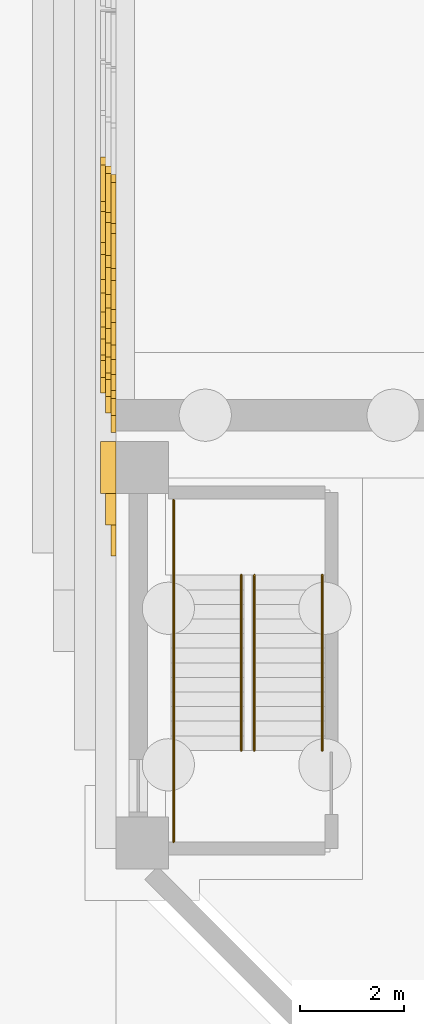
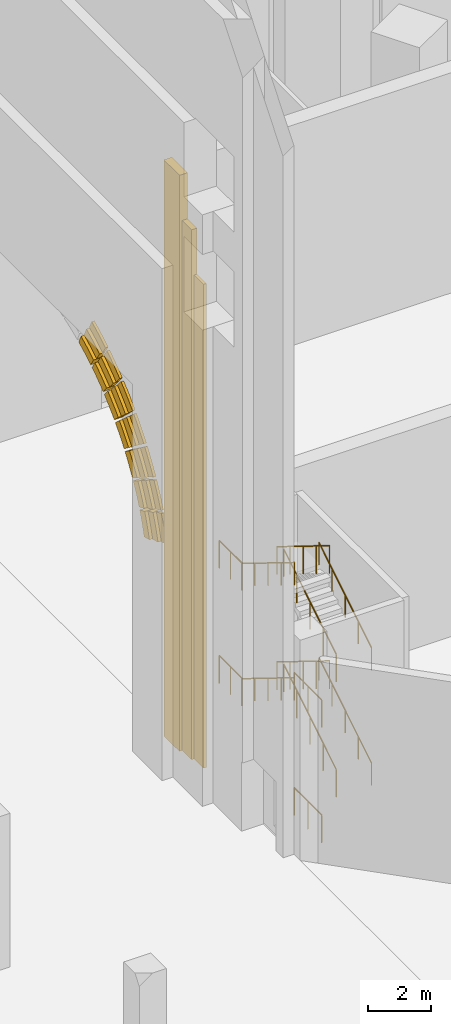
# One storey, part 20 of 32: 24 coverings, 12 railings.
"""IFC4 building model written with IfcOpenShell, lengths in metres."""

import ifcopenshell
import ifcopenshell.guid

model = None  # the IFC model being written
_history = None  # IfcOwnerHistory: only IFC2X3 demands one
_inside = {}  # id of a spatial element -> (the spatial element, [elements in it])
_under = {}  # id of a project, library or spatial element -> (it, [spatial elements below it])
_declared = {}  # id of a project -> (the project, [libraries it declares])
_typed = {}  # id of a type object -> (the type object, [elements of that type])
_made_of = {}  # id of a material, layer set ... -> (it, [elements and type objects made of it])


def new_model(schema):
    """Start an empty IFC model of exactly this schema.

    Asked for "IFC4X3", IfcOpenShell would pick the latest addendum, in which some entities
    have other attributes; the version numbers below select the first issue.
    IFC2X3 requires an IfcOwnerHistory on every rooted entity: one is made here for all.
    """
    global model, _history
    if schema == "IFC4X3":
        model = ifcopenshell.file(schema_version=(4, 3, 0, 0))
    else:
        model = ifcopenshell.file(schema=schema)
    _inside.clear()
    _under.clear()
    _declared.clear()
    _typed.clear()
    _made_of.clear()
    _history = None
    if model.schema == "IFC2X3":
        org = make("IfcOrganization", Name="unknown")
        user = make(
            "IfcPersonAndOrganization",
            ThePerson=make("IfcPerson", FamilyName="unknown"),
            TheOrganization=org,
        )
        app = make(
            "IfcApplication",
            ApplicationDeveloper=org,
            Version="unknown",
            ApplicationFullName="unknown",
            ApplicationIdentifier="unknown",
        )
        _history = make(
            "IfcOwnerHistory",
            OwningUser=user,
            OwningApplication=app,
            ChangeAction="ADDED",
            CreationDate=0,
        )
    return model


def make(cls, **values):
    """One entity of the class cls with the attributes given. An attribute that is None is left unset."""
    return model.create_entity(
        cls, **{name: value for name, value in values.items() if value is not None}
    )


def rooted(cls, **values):
    """An entity with a GlobalId (a new one), such as an element, a storey or a relation."""
    return make(cls, GlobalId=ifcopenshell.guid.new(), OwnerHistory=_history, **values)


def si_unit(unit_type, name, prefix=None):
    """IfcSIUnit, for example si_unit("LENGTHUNIT", "METRE", prefix="MILLI")."""
    return make("IfcSIUnit", UnitType=unit_type, Prefix=prefix, Name=name)


def assignment(units):
    """IfcUnitAssignment: the units of a project."""
    return None if units is None else make("IfcUnitAssignment", Units=units)


def point(xyz):
    """IfcCartesianPoint."""
    return None if xyz is None else make("IfcCartesianPoint", Coordinates=xyz)


def direction(xyz):
    """IfcDirection."""
    return None if xyz is None else make("IfcDirection", DirectionRatios=xyz)


def frame(location, z_axis=None, x_axis=None):
    """IfcAxis2Placement3D, a coordinate frame: its origin and axes. An axis left out is left unset."""
    return make(
        "IfcAxis2Placement3D",
        Location=point(location),
        Axis=direction(z_axis),
        RefDirection=direction(x_axis),
    )


def frame_2d(location, x_axis=None):
    """IfcAxis2Placement2D, a coordinate frame in the plane: its origin and x axis."""
    return make(
        "IfcAxis2Placement2D", Location=point(location), RefDirection=direction(x_axis)
    )


def origin():
    """The frame at (0, 0, 0) with its axes left unset."""
    return frame((0.0, 0.0, 0.0))


def origin_2d():
    """The frame at (0, 0) in the plane with its x axis left unset."""
    return frame_2d((0.0, 0.0))


def place(relative_to, where):
    """IfcLocalPlacement: puts the frame where relative to a parent placement (None: the world)."""
    return make(
        "IfcLocalPlacement", PlacementRelTo=relative_to, RelativePlacement=where
    )


def context(
    kind, dimensions, precision=None, world=None, true_north=None, identifier=None
):
    """IfcGeometricRepresentationContext, for example the 3D "Model" context."""
    return make(
        "IfcGeometricRepresentationContext",
        ContextIdentifier=identifier,
        ContextType=kind,
        CoordinateSpaceDimension=dimensions,
        Precision=precision,
        WorldCoordinateSystem=world,
        TrueNorth=true_north,
    )


def subcontext(parent, identifier, kind, view, scale=None):
    """IfcGeometricRepresentationSubContext, for example "Body" below "Model"."""
    return make(
        "IfcGeometricRepresentationSubContext",
        ContextIdentifier=identifier,
        ContextType=kind,
        ParentContext=parent,
        TargetScale=scale,
        TargetView=view,
    )


def project(units=None, contexts=None):
    """IfcProject with its units and contexts."""
    return rooted(
        "IfcProject",
        Name="project",
        RepresentationContexts=contexts,
        UnitsInContext=assignment(units),
    )


def spatial(cls, under=None, at=None, **own):
    """A site, building, storey or space (cls), placed at a placement, below another one or the project."""
    s = rooted(cls, ObjectPlacement=at, **own)
    if under is not None:
        _under.setdefault(under.id(), (under, []))[1].append(s)
    return s


def polyline(points):
    """IfcPolyline through the points."""
    return make("IfcPolyline", Points=[point(p) for p in points])


def profile(cls, at=None, kind="AREA", **sizes):
    """A parametric profile (cls). Its sizes go by their IFC names, for example OverallWidth=200.0."""
    return make(cls, ProfileType=kind, Position=at, **sizes)


def rectangle(**sizes):
    """IfcRectangleProfileDef."""
    return profile("IfcRectangleProfileDef", **sizes)


def circle(**sizes):
    """IfcCircleProfileDef."""
    return profile("IfcCircleProfileDef", **sizes)


def outline(outer, holes=None, kind="AREA"):
    """IfcArbitraryClosedProfileDef: a profile drawn as a closed curve; with holes, ...WithVoids."""
    if holes is None:
        return make("IfcArbitraryClosedProfileDef", ProfileType=kind, OuterCurve=outer)
    return make(
        "IfcArbitraryProfileDefWithVoids",
        ProfileType=kind,
        OuterCurve=outer,
        InnerCurves=holes,
    )


def extrude(swept, where, along, depth):
    """IfcExtrudedAreaSolid: the profile swept, set in the frame where, extruded along a direction by depth."""
    return make(
        "IfcExtrudedAreaSolid",
        SweptArea=swept,
        Position=where,
        ExtrudedDirection=direction(along),
        Depth=depth,
    )


def shape(context_of_items, identifier, shape_type, items):
    """IfcShapeRepresentation: the items that make up one representation, for example the "Body"."""
    return make(
        "IfcShapeRepresentation",
        ContextOfItems=context_of_items,
        RepresentationIdentifier=identifier,
        RepresentationType=shape_type,
        Items=items,
    )


def material(Name=None, Category=None):
    """IfcMaterial."""
    return make("IfcMaterial", Name=Name, Category=Category)


def made_of(thing, what):
    """Note that an element or type object is made of a material, layer set ...; save() writes the relation."""
    if what is not None:
        _made_of.setdefault(what.id(), (what, []))[1].append(thing)
    return thing


def type_object(cls, material=None, **own):
    """A type object (cls), such as IfcWallType, which elements share."""
    return made_of(rooted(cls, **own), material)


def element(
    cls,
    number,
    at=None,
    inside=None,
    cuts=None,
    type_object=None,
    material=None,
    context=None,
    identifier="Body",
    shape_type=None,
    held_by="IfcProductDefinitionShape",
    body=None,
    shapes=None,
    **own,
):
    """One element of the class cls, such as IfcWall. Its Tag is "e" and its number.

    at: its placement. inside: the storey or other place that contains it. cuts: it is an
    opening in that element (IfcRelVoidsElement). A single representation is given by context,
    identifier, shape_type and body (its items); several are given by shapes. held_by: the class
    of the entity that holds the representations. save() writes the other relations.
    """
    e = rooted(cls, Tag="e%d" % number, ObjectPlacement=at, **own)
    if body is not None:
        shapes = [shape(context, identifier, shape_type, body)]
    if shapes is not None:
        e.Representation = make(held_by, Representations=shapes)
    if inside is not None:
        _inside.setdefault(inside.id(), (inside, []))[1].append(e)
    if cuts is not None:
        rooted(
            "IfcRelVoidsElement", RelatingBuildingElement=cuts, RelatedOpeningElement=e
        )
    if type_object is not None:
        _typed.setdefault(type_object.id(), (type_object, []))[1].append(e)
    return made_of(e, material)


def aggregate(whole, parts):
    """IfcRelAggregates: a whole, such as a stair, and the parts it consists of."""
    return rooted("IfcRelAggregates", RelatingObject=whole, RelatedObjects=parts)


def save(model, path):
    """Write the relations noted so far, then the file.

    IfcRelAggregates (storeys below a building ...), IfcRelContainedInSpatialStructure (elements
    in a storey), IfcRelDefinesByType, IfcRelAssociatesMaterial and IfcRelDeclares: one each for
    every whole, place, type object, material and project.
    """
    for whole, parts in _under.values():
        aggregate(whole, parts)
    for where, things in _inside.values():
        rooted(
            "IfcRelContainedInSpatialStructure",
            RelatedElements=things,
            RelatingStructure=where,
        )
    for kind, things in _typed.values():
        rooted("IfcRelDefinesByType", RelatedObjects=things, RelatingType=kind)
    for what, things in _made_of.values():
        rooted("IfcRelAssociatesMaterial", RelatedObjects=things, RelatingMaterial=what)
    for by, libraries in _declared.values():
        rooted("IfcRelDeclares", RelatingContext=by, RelatedDefinitions=libraries)
    model.write(path)


model = new_model("IFC4")

# Units and contexts
model_context = context("Model", 3, precision=1e-05, world=origin(), true_north=direction((0.0, 1.0)))
body_context = subcontext(model_context, "Body", "Model", "MODEL_VIEW")
ifc_project = project(units=[si_unit("LENGTHUNIT", "METRE"), si_unit("AREAUNIT", "SQUARE_METRE"), si_unit("VOLUMEUNIT", "CUBIC_METRE"), si_unit("PLANEANGLEUNIT", "RADIAN"), si_unit("MASSUNIT", "GRAM", prefix="KILO")], contexts=[model_context])

# Site, building, storey
site_placement = place(None, origin())
site = spatial("IfcSite", under=ifc_project, at=site_placement, CompositionType="ELEMENT")
building_placement = place(site_placement, origin())
building = spatial("IfcBuilding", under=site, at=building_placement, Name="Isthmus Gate Tower", CompositionType="ELEMENT")
storey_placement = place(building_placement, origin())
storey = spatial("IfcBuildingStorey", under=building, at=storey_placement, Name="L00", CompositionType="ELEMENT", Elevation=0.0)

# Coverings
ifc_material_1 = material(Name="Precast concrete C50/60, limestone-faced", Category="masonry")
covering_type_1 = type_object("IfcCoveringType", Name="ARCHIVOLT BAND 350 X 100", PredefinedType="CLADDING", material=ifc_material_1)
covering_1_placement = place(storey_placement, frame((-52.10009765625, -26.63232421875, 7.294189453125), z_axis=(-1.0, 0.0, 0.0), x_axis=(0.0, 0.265284049219, 0.964170303022)))
element("IfcCovering", 1, at=covering_1_placement, inside=storey, type_object=covering_type_1, Name="ARCHIVOLT BAND", PredefinedType="CLADDING", context=body_context, shape_type="SweptSolid", body=[
    extrude(outline(polyline([(0.0, 0.0), (0.26688668790501374, -1.3877787807814457e-17), (0.533556742654264, 0.008415639768535904), (0.8000512575474008, 0.024475973270870033), (1.065728819776844, 0.04861069348812508), (1.028781476728505, 0.3965628482787386), (0.7734911393181957, 0.37336836062412726), (0.5175544757710004, 0.35794809993047155), (0.26144227236769174, 0.3501725329706142), (0.005089762494690689, 0.3498062666041687), (0.0, 0.0)])), origin(), (0.0, 0.0, -1.0), 0.10009765625),
])
covering_2_placement = place(storey_placement, frame((-52.10009765625, -26.26513671875, 8.403564453125), z_axis=(-1.0, 0.0, 0.0), x_axis=(0.0, 0.389044503845, 0.921218960958)))
element("IfcCovering", 2, at=covering_2_placement, inside=storey, type_object=covering_type_1, Name="ARCHIVOLT BAND", PredefinedType="CLADDING", context=body_context, shape_type="SweptSolid", body=[
    extrude(outline(polyline([(0.0, 0.0), (0.25415332217179354, 1.3877787807814457e-17), (0.5079473560407013, 0.007307248656211879), (0.7616070085796132, 0.021826764400314003), (1.0148123912473177, 0.043428621827737934), (0.9801080023617159, 0.3917438565649191), (0.7368039205161634, 0.37099589516282633), (0.4931754942039718, 0.35701038690284365), (0.24909279802057266, 0.35010722032618286), (0.00500564591174614, 0.3500964322962007), (0.0, 0.0)])), origin(), (0.0, 0.0, -1.0), 0.10009765625),
])
covering_3_placement = place(storey_placement, frame((-52.10009765625, -25.78076171875, 9.410888671875), z_axis=(-1.0, 0.0, 0.0), x_axis=(0.0, 0.500998364306, 0.865448230088)))
element("IfcCovering", 3, at=covering_3_placement, inside=storey, type_object=covering_type_1, Name="ARCHIVOLT BAND", PredefinedType="CLADDING", context=body_context, shape_type="SweptSolid", body=[
    extrude(outline(polyline([(0.0, 0.0), (0.25388758664129923, 0.0), (0.5077859726040459, 0.00732827867355515), (0.7615728438344544, 0.02177354494886663), (1.014825618188927, 0.043580426933506), (0.9798036535025603, 0.39193343456175944), (0.7365479988263193, 0.37082756939977696), (0.49296953834594126, 0.3569610058933367), (0.2488236439538546, 0.34991116189884075), (0.004777525901228485, 0.3498559914523155), (0.0, 0.0)])), origin(), (0.0, 0.0, -1.0), 0.10009765625),
])
covering_4_placement = place(storey_placement, frame((-52.10009765625, -25.174560546875, 10.349609375), z_axis=(-1.0, 0.0, 0.0), x_axis=(0.0, 0.605521832483, 0.795828694121)))
element("IfcCovering", 4, at=covering_4_placement, inside=storey, type_object=covering_type_1, Name="ARCHIVOLT BAND", PredefinedType="CLADDING", context=body_context, shape_type="SweptSolid", body=[
    extrude(outline(polyline([(0.0, 0.0), (0.25400998857337076, -1.3877787807814457e-17), (0.5080706625679874, 0.007324043370019351), (0.7616920629118069, 0.02173137435914052), (1.0148741896048294, 0.0432219929673634), (0.9799308154409481, 0.3916166834706377), (0.7367632832290767, 0.3707891991237142), (0.4930086448877745, 0.3568507082811168), (0.24915685948908461, 0.3500419666937632), (0.004912262075739665, 0.3499743861321021), (0.0, 0.0)])), origin(), (0.0, 0.0, -1.0), 0.10009765625),
])
covering_5_placement = place(storey_placement, frame((-52.10009765625, -24.45556640625, 11.205322265625), z_axis=(-1.0, 0.0, 0.0), x_axis=(0.0, 0.700349905889, 0.71379969832)))
element("IfcCovering", 5, at=covering_5_placement, inside=storey, type_object=covering_type_1, Name="ARCHIVOLT BAND", PredefinedType="CLADDING", context=body_context, shape_type="SweptSolid", body=[
    extrude(outline(polyline([(0.0, 0.0), (0.25412799249135853, 0.0), (0.5078417771591657, 0.007246995091784836), (0.7616608728761091, 0.021573285052342572), (1.0148914932650284, 0.043317553968427513), (0.9799861577561113, 0.3915483570546558), (0.7369322436277091, 0.3707640839606525), (0.49312215394827064, 0.35687827094948865), (0.24907212394975345, 0.35006846916636736), (0.00495642113663014, 0.35016369474754616), (0.0, 0.0)])), origin(), (0.0, 0.0, -1.0), 0.10009765625),
])
covering_6_placement = place(storey_placement, frame((-52.10009765625, -23.63525390625, 11.96435546875), z_axis=(-1.0, 0.0, 0.0), x_axis=(0.0, 0.784513482816, 0.620111760314)))
element("IfcCovering", 6, at=covering_6_placement, inside=storey, type_object=covering_type_1, Name="ARCHIVOLT BAND", PredefinedType="CLADDING", context=body_context, shape_type="SweptSolid", body=[
    extrude(outline(polyline([(0.0, 0.0), (0.25393923031750015, 0.0), (0.5079953512511569, 0.006938795973536777), (0.7615226477707558, 0.02123958828392425), (1.0146725143490298, 0.04271084531914682), (0.9801848534604658, 0.39106882291730727), (0.7370291345635808, 0.3703397508786452), (0.4933044541133552, 0.35662974909208534), (0.24935373819453777, 0.3498986804183449), (0.005176986807128331, 0.3501465448574239), (0.0, 0.0)])), origin(), (0.0, 0.0, -1.0), 0.10009765625),
])
covering_7_placement = place(storey_placement, frame((-52.10009765625, -22.7265625, 12.61474609375), z_axis=(-1.0, 0.0, 0.0), x_axis=(0.0, 0.855623194581, 0.517599216475)))
element("IfcCovering", 7, at=covering_7_placement, inside=storey, type_object=covering_type_1, Name="ARCHIVOLT BAND", PredefinedType="CLADDING", context=body_context, shape_type="SweptSolid", body=[
    extrude(outline(polyline([(0.0, 0.0), (0.25423492286411625, -1.3877787807814457e-17), (0.5081087971676335, 0.007200339865661182), (0.761830515292041, 0.021727386593193232), (1.0149822924743603, 0.043328406190176805), (0.9801411063765512, 0.39147721750268794), (0.7369929532411159, 0.37079171389865195), (0.49319233377831245, 0.3568449237863684), (0.24915703275111956, 0.3498895811582565), (0.005095942541026716, 0.3500520530105261), (0.0, 0.0)])), origin(), (0.0, 0.0, -1.0), 0.10009765625),
])
ifc_material_2 = material(Name="Precast concrete C50/60, limestone-faced", Category="masonry")
covering_type_2 = type_object("IfcCoveringType", Name="ARCHIVOLT BAND 350 X 200", PredefinedType="CLADDING", material=ifc_material_2)
covering_8_placement = place(storey_placement, frame((-52.199951171875, -26.2548828125, 7.1962890625), z_axis=(-1.0, 0.0, 0.0), x_axis=(0.0, 0.265713821444, 0.964051951449)))
element("IfcCovering", 8, at=covering_8_placement, inside=storey, type_object=covering_type_2, Name="ARCHIVOLT BAND", PredefinedType="CLADDING", context=body_context, shape_type="SweptSolid", body=[
    extrude(outline(polyline([(0.0, 0.0), (0.2545104833366101, 0.0), (0.5088488346127424, 0.007644771224727009), (0.7630150538283971, 0.022934313674181), (1.0167089051991762, 0.04569813464084116), (0.9799815441319394, 0.3939020891383528), (0.7369106999220713, 0.3720089987851023), (0.493302616328889, 0.3573548227030987), (0.24915729335239267, 0.349939560892342), (0.005010331022939352, 0.3498688345219144), (0.0, 0.0)])), origin(), (0.0, 0.0, -1.0), 0.199951171875),
])
covering_9_placement = place(storey_placement, frame((-52.199951171875, -25.90283203125, 8.259033203125), z_axis=(-1.0, 0.0, 0.0), x_axis=(0.0, 0.389771751244, 0.920911495168)))
element("IfcCovering", 9, at=covering_9_placement, inside=storey, type_object=covering_type_2, Name="ARCHIVOLT BAND", PredefinedType="CLADDING", context=body_context, shape_type="SweptSolid", body=[
    extrude(outline(polyline([(0.0, 0.0), (0.24177812001299168, 0.0), (0.4836868989198868, 0.006572388889559272), (0.7251470001156418, 0.020227475933546013), (0.9659681053623442, 0.040515597315960494), (0.9315387472401362, 0.38885812509175965), (0.7002996229146411, 0.3692864088898801), (0.4689663255750495, 0.3563822406965158), (0.23712370507544933, 0.3497911158146233), (0.0052820706807088225, 0.350092370849246), (0.0, 0.0)])), origin(), (0.0, 0.0, -1.0), 0.199951171875),
])
covering_10_placement = place(storey_placement, frame((-52.199951171875, -25.439453125, 9.22216796875), z_axis=(-1.0, 0.0, 0.0), x_axis=(0.0, 0.500916836228, 0.86549542066)))
element("IfcCovering", 10, at=covering_10_placement, inside=storey, type_object=covering_type_2, Name="ARCHIVOLT BAND", PredefinedType="CLADDING", context=body_context, shape_type="SweptSolid", body=[
    extrude(outline(polyline([(0.0, 0.0), (0.24174422028189912, -1.3877787807814457e-17), (0.4833762554065226, 0.007116977065409785), (0.7248628196678656, 0.020806031860890528), (0.9659036020295286, 0.041523055278316234), (0.9310601249836399, 0.38975046811683384), (0.6999273877760905, 0.37006899999733706), (0.4685268855557909, 0.35674830701497684), (0.23664731572980657, 0.34991068331922265), (0.004744569190011483, 0.34985643994647403), (0.0, 0.0)])), origin(), (0.0, 0.0, -1.0), 0.199951171875),
])
covering_11_placement = place(storey_placement, frame((-52.199951171875, -24.859375, 10.119873046875), z_axis=(-1.0, 0.0, 0.0), x_axis=(0.0, 0.605160111875, 0.796103786573)))
element("IfcCovering", 11, at=covering_11_placement, inside=storey, type_object=covering_type_2, Name="ARCHIVOLT BAND", PredefinedType="CLADDING", context=body_context, shape_type="SweptSolid", body=[
    extrude(outline(polyline([(0.0, 0.0), (0.24165544209776263, 0.0), (0.48340485836578306, 0.0069819602033808215), (0.7247117820840856, 0.021047007670000006), (0.9658171916367695, 0.04170529278796242), (0.9309098571335205, 0.38993632340725076), (0.699818739671749, 0.36994572353571337), (0.4683317467683405, 0.3566961054834573), (0.23644887842329462, 0.3501874692504826), (0.004753218464667863, 0.34997658233297496), (0.0, 0.0)])), origin(), (0.0, 0.0, -1.0), 0.199951171875),
])
covering_12_placement = place(storey_placement, frame((-52.199951171875, -24.171630859375, 10.937744140625), z_axis=(-1.0, 0.0, 0.0), x_axis=(0.0, 0.700000714214, 0.714142142784)))
element("IfcCovering", 12, at=covering_12_placement, inside=storey, type_object=covering_type_2, Name="ARCHIVOLT BAND", PredefinedType="CLADDING", context=body_context, shape_type="SweptSolid", body=[
    extrude(outline(polyline([(0.0, 0.0), (0.24169897214318228, 0.0), (0.4834997929540438, 0.0070793455280128426), (0.7250606652088474, 0.02088933436588236), (0.9658619880775682, 0.04159741262826766), (0.9311315923989312, 0.38981455492654193), (0.6999903567223001, 0.36989364602791525), (0.4682639227686643, 0.3566999279419357), (0.2366462424771268, 0.34989505594207554), (0.004788613629531258, 0.349820827252072), (0.0, 0.0)])), origin(), (0.0, 0.0, -1.0), 0.199951171875),
])
covering_13_placement = place(storey_placement, frame((-52.199951171875, -23.38720703125, 11.663330078125), z_axis=(-1.0, 0.0, 0.0), x_axis=(0.0, 0.784107209505, 0.620625397484)))
element("IfcCovering", 13, at=covering_13_placement, inside=storey, type_object=covering_type_2, Name="ARCHIVOLT BAND", PredefinedType="CLADDING", context=body_context, shape_type="SweptSolid", body=[
    extrude(outline(polyline([(0.0, 0.0), (0.2419277151460203, 0.0), (0.4836248244374112, 0.006978783587852561), (0.7250514153224101, 0.020593398466929425), (0.9659044480561514, 0.04122670948562168), (0.9313401782295959, 0.38937059432830995), (0.7003292851120211, 0.3696774456400296), (0.4687049212914261, 0.35666004079473634), (0.23696155893687165, 0.35008703481647185), (0.005099198048357845, 0.3499584277052363), (0.0, 0.0)])), origin(), (0.0, 0.0, -1.0), 0.199951171875),
])
covering_14_placement = place(storey_placement, frame((-52.199951171875, -22.517822265625, 12.28515625), z_axis=(-1.0, 0.0, 0.0), x_axis=(0.0, 0.855347002332, 0.518055504364)))
element("IfcCovering", 14, at=covering_14_placement, inside=storey, type_object=covering_type_2, Name="ARCHIVOLT BAND", PredefinedType="CLADDING", context=body_context, shape_type="SweptSolid", body=[
    extrude(outline(polyline([(0.0, 0.0), (0.24175815056490446, 0.0), (0.483486715540424, 0.007117799712831413), (0.7248945234176967, 0.020891617397512774), (0.9658550958021019, 0.041530278005785404), (0.9310370483879977, 0.3897869350394937), (0.6998707853694371, 0.36994264750620354), (0.4683837652526296, 0.35675437794476333), (0.23670246643219506, 0.35001330140343195), (0.004700410513513331, 0.3499282428339506), (0.0, 0.0)])), origin(), (0.0, 0.0, -1.0), 0.199951171875),
])
ifc_material_3 = material(Name="Precast concrete C50/60, limestone-faced", Category="masonry")
covering_type_3 = type_object("IfcCoveringType", Name="ARCHIVOLT BAND 350 X 300", PredefinedType="CLADDING", material=ifc_material_3)
covering_15_placement = place(storey_placement, frame((-52.300048828125, -25.87744140625, 7.09814453125), z_axis=(-1.0, 0.0, 0.0), x_axis=(0.0, 0.265928998126, 0.963992618206)))
element("IfcCovering", 15, at=covering_15_placement, inside=storey, type_object=covering_type_3, Name="ARCHIVOLT BAND", PredefinedType="CLADDING", context=body_context, shape_type="SweptSolid", body=[
    extrude(outline(polyline([(0.0, 0.0), (0.24236967556846373, 6.938893903907228e-18), (0.48443907730481517, 0.007174109934790646), (0.7265084790411667, 0.021692755492868032), (0.9677419833529892, 0.043280009369047995), (0.9313276945776436, 0.3914272289307934), (0.7004171176833025, 0.3705379088265501), (0.4689709171965449, 0.35688762272890545), (0.23709459473405886, 0.34994074704544303), (0.005088424127956681, 0.34986770746465895), (0.0, 0.0)])), origin(), (0.0, 0.0, -1.0), 0.300048828125),
])
covering_16_placement = place(storey_placement, frame((-52.300048828125, -25.54052734375, 8.114501953125), z_axis=(-1.0, 0.0, 0.0), x_axis=(0.0, 0.389292978333, 0.921113986986)))
element("IfcCovering", 16, at=covering_16_placement, inside=storey, type_object=covering_type_3, Name="ARCHIVOLT BAND", PredefinedType="CLADDING", context=body_context, shape_type="SweptSolid", body=[
    extrude(outline(polyline([(0.0, 0.0), (0.22953270087877473, 0.0), (0.4591926440887211, 0.0065724559223562795), (0.6883399824788046, 0.019457689540187922), (0.9170697582800635, 0.0388805821979738), (0.8824593248449196, 0.38720516538924404), (0.6636310798346305, 0.3686334979591739), (0.44419518777344, 0.35614972688010016), (0.22456661446790388, 0.3501085726099422), (0.00500503814490301, 0.34987018799766556), (0.0, 0.0)])), origin(), (0.0, 0.0, -1.0), 0.300048828125),
])
covering_17_placement = place(storey_placement, frame((-52.300048828125, -25.09814453125, 9.033447265625), z_axis=(-1.0, 0.0, 0.0), x_axis=(0.0, 0.500826679093, 0.865547594017)))
element("IfcCovering", 17, at=covering_17_placement, inside=storey, type_object=covering_type_3, Name="ARCHIVOLT BAND", PredefinedType="CLADDING", context=body_context, shape_type="SweptSolid", body=[
    extrude(outline(polyline([(0.0, 0.0), (0.22960085629459692, -1.3877787807814457e-17), (0.45917782928401885, 0.006783377871999702), (0.6882750593607941, 0.02004977509330863), (0.9169815897170428, 0.039465604194905635), (0.88222411185534, 0.3879007010005236), (0.6631809744538297, 0.3690988286026111), (0.44408072480081395, 0.35653543127710685), (0.22425618795825059, 0.3500324226397707), (0.004708126333202722, 0.3498569322669628), (0.0, 0.0)])), origin(), (0.0, 0.0, -1.0), 0.300048828125),
])
covering_18_placement = place(storey_placement, frame((-52.300048828125, -24.54443359375, 9.889892578125), z_axis=(-1.0, 0.0, 0.0), x_axis=(0.0, 0.606107288673, 0.795382898118)))
element("IfcCovering", 18, at=covering_18_placement, inside=storey, type_object=covering_type_3, Name="ARCHIVOLT BAND", PredefinedType="CLADDING", context=body_context, shape_type="SweptSolid", body=[
    extrude(outline(polyline([(0.0, 0.0), (0.2295965728357777, 0.0), (0.4590456894712548, 0.006251312153592148), (0.6883011400408439, 0.019096097150910818), (0.9170207638544108, 0.03848814512636883), (0.882675930271702, 0.3869546646714366), (0.663777200925344, 0.3683663568300118), (0.444388854688551, 0.35598315127659214), (0.22485305225145727, 0.3498512578767646), (0.00516979361406289, 0.3499706766305292), (0.0, 0.0)])), origin(), (0.0, 0.0, -1.0), 0.300048828125),
])
covering_19_placement = place(storey_placement, frame((-52.300048828125, -23.887939453125, 10.67041015625), z_axis=(-1.0, 0.0, 0.0), x_axis=(0.0, 0.700698350251, 0.713457652532)))
element("IfcCovering", 19, at=covering_19_placement, inside=storey, type_object=covering_type_3, Name="ARCHIVOLT BAND", PredefinedType="CLADDING", context=body_context, shape_type="SweptSolid", body=[
    extrude(outline(polyline([(0.0, 0.0), (0.22961188907810953, 0.0), (0.45899352300641805, 0.0063856216797687215), (0.6883159707180924, 0.019331049036506287), (0.9170629103495987, 0.0386589830089793), (0.8824986790125033, 0.3870809718523899), (0.6637578442335668, 0.36853388059761866), (0.4442704324412957, 0.3561951119613827), (0.22472694949642377, 0.3500708960717488), (0.004956326465784172, 0.3499870489315169), (0.0, 0.0)])), origin(), (0.0, 0.0, -1.0), 0.300048828125),
])
covering_20_placement = place(storey_placement, frame((-52.300048828125, -23.138916015625, 11.362548828125), z_axis=(-1.0, 0.0, 0.0), x_axis=(0.0, 0.784283129619, 0.620403072684)))
element("IfcCovering", 20, at=covering_20_placement, inside=storey, type_object=covering_type_3, Name="ARCHIVOLT BAND", PredefinedType="CLADDING", context=body_context, shape_type="SweptSolid", body=[
    extrude(outline(polyline([(0.0, 0.0), (0.22942179148037986, -1.3877787807814457e-17), (0.4590693524309377, 0.006404422565429252), (0.6881053353230386, 0.01948476262878035), (0.9170241467179587, 0.03900953503708593), (0.8825585794983795, 0.3871632050999399), (0.6634821738666627, 0.36857580466908235), (0.4442485869582397, 0.35608989561582016), (0.22455488758527675, 0.3500884286870377), (0.004855472529524479, 0.3499969777624086), (0.0, 0.0)])), origin(), (0.0, 0.0, -1.0), 0.300048828125),
])
covering_21_placement = place(storey_placement, frame((-52.300048828125, -22.309326171875, 11.95556640625), z_axis=(-1.0, 0.0, 0.0), x_axis=(0.0, 0.855611571802, 0.517618429152)))
element("IfcCovering", 21, at=covering_21_placement, inside=storey, type_object=covering_type_3, Name="ARCHIVOLT BAND", PredefinedType="CLADDING", context=body_context, shape_type="SweptSolid", body=[
    extrude(outline(polyline([(0.0, 0.0), (0.2296990943110293, 0.0), (0.4590808322094051, 0.0066561809819906115), (0.6883979570687371, 0.01955076385817789), (0.9171888359715183, 0.03897515602955093), (0.8825487218305931, 0.3872495565908444), (0.6635525568705904, 0.3686145333542971), (0.44415651764084213, 0.35630042986903865), (0.22461334751495762, 0.34988946704727497), (0.004879192663224424, 0.3499257956636048), (0.0, 0.0)])), origin(), (0.0, 0.0, -1.0), 0.300048828125),
])
ifc_material_4 = material(Name="Precast concrete C50/60, limestone-faced", Category="masonry")
covering_type_4 = type_object("IfcCoveringType", Name="PORTAL RELIEF BAND 1000 X 300", PredefinedType="CLADDING", material=ifc_material_4)
covering_22_placement = place(storey_placement, frame((-52.14990234375, -27.300048828125, 0.0), z_axis=(0.0, 0.0, 1.0), x_axis=(1.0, 0.0, 0.0)))
element("IfcCovering", 22, at=covering_22_placement, inside=storey, type_object=covering_type_4, Name="PORTAL RELIEF", PredefinedType="CLADDING", context=body_context, shape_type="SweptSolid", body=[
    extrude(rectangle(XDim=0.300048828125, YDim=1.0, at=origin_2d()), origin(), (0.0, 0.0, 1.0), 22.5),
])
ifc_material_5 = material(Name="Precast concrete C50/60, limestone-faced", Category="masonry")
covering_type_5 = type_object("IfcCoveringType", Name="PORTAL RELIEF BAND 600 X 100", PredefinedType="CLADDING", material=ifc_material_5)
covering_23_placement = place(storey_placement, frame((-52.050048828125, -28.699951171875, 0.0), z_axis=(0.0, 0.0, 1.0), x_axis=(1.0, 0.0, 0.0)))
element("IfcCovering", 23, at=covering_23_placement, inside=storey, type_object=covering_type_5, Name="PORTAL RELIEF", PredefinedType="CLADDING", context=body_context, shape_type="SweptSolid", body=[
    extrude(rectangle(XDim=0.10009765625, YDim=0.60009765625, at=origin_2d()), origin(), (0.0, 0.0, 1.0), 18.89990234375),
])
ifc_material_6 = material(Name="Precast concrete C50/60, limestone-faced", Category="masonry")
covering_type_6 = type_object("IfcCoveringType", Name="PORTAL RELIEF BAND 600 X 200", PredefinedType="CLADDING", material=ifc_material_6)
covering_24_placement = place(storey_placement, frame((-52.10009765625, -28.10009765625, 0.0), z_axis=(0.0, 0.0, 1.0), x_axis=(1.0, 0.0, 0.0)))
element("IfcCovering", 24, at=covering_24_placement, inside=storey, type_object=covering_type_6, Name="PORTAL RELIEF", PredefinedType="CLADDING", context=body_context, shape_type="SweptSolid", body=[
    extrude(rectangle(XDim=0.199951171875, YDim=0.60009765625, at=origin_2d()), origin(), (0.0, 0.0, 1.0), 20.699951171875),
])

# Railings
ifc_material_7 = material(Name="Painted steel balusters with timber handrail", Category="steel")
railing_type_1 = type_object("IfcRailingType", Name="Podium stair guard 1100", PredefinedType="GUARDRAIL", material=ifc_material_7)
railing_1_placement = place(storey_placement, frame((-49.35009765625, -32.72509765625, 0.173095703125)))
element("IfcRailing", 25, at=railing_1_placement, inside=storey, type_object=railing_type_1, Name="L00 ST3 stair guard 1", PredefinedType="GUARDRAIL", context=body_context, shape_type="SweptSolid", body=[
    extrude(circle(Radius=0.02392578125, at=origin_2d()), frame((0.0, 0.0, 1.076171875), z_axis=(0.0, 0.850623216509, 0.525775754039), x_axis=(-1.0, 0.0, 0.0)), (0.0, 0.0, 1.0), 3.9501953125),
    extrude(circle(Radius=0.02099609375, at=origin_2d()), origin(), (0.0, 0.0, 1.0), 1.052001953125),
    extrude(circle(Radius=0.02099609375, at=origin_2d()), frame((0.0, 0.840087890625, 0.519287109375)), (0.0, 0.0, 1.0), 1.052001953125),
    extrude(circle(Radius=0.02099609375, at=origin_2d()), frame((0.0, 1.68017578125, 1.03857421875)), (0.0, 0.0, 1.0), 1.052001953125),
    extrude(circle(Radius=0.02099609375, at=origin_2d()), frame((0.0, 2.52001953125, 1.5576171875)), (0.0, 0.0, 1.0), 1.052001953125),
    extrude(circle(Radius=0.02099609375, at=origin_2d()), frame((0.0, 3.360107421875, 2.076904296875)), (0.0, 0.0, 1.0), 1.052001953125),
])
railing_2_placement = place(storey_placement, frame((-50.89990234375, -29.364990234375, 2.25)))
element("IfcRailing", 26, at=railing_2_placement, inside=storey, type_object=railing_type_1, Name="L00 ST3 stair guard 2", PredefinedType="GUARDRAIL", context=body_context, shape_type="SweptSolid", body=[
    extrude(circle(Radius=0.02392578125, at=origin_2d()), frame((0.0, 0.0, 1.076171875), z_axis=(0.0, 1.0, 0.0), x_axis=(-1.0, 0.0, 0.0)), (0.0, 0.0, 1.0), 1.43603515625),
    extrude(circle(Radius=0.02099609375, at=origin_2d()), origin(), (0.0, 0.0, 1.0), 1.052001953125),
    extrude(circle(Radius=0.02099609375, at=origin_2d()), frame((0.0, 0.718017578125, 0.0)), (0.0, 0.0, 1.0), 1.052001953125),
    extrude(circle(Radius=0.02099609375, at=origin_2d()), frame((0.0, 1.43603515625, 0.0)), (0.0, 0.0, 1.0), 1.052001953125),
])
railing_3_placement = place(storey_placement, frame((-49.60009765625, -29.364990234375, 2.423095703125)))
element("IfcRailing", 27, at=railing_3_placement, inside=storey, type_object=railing_type_1, Name="L00 ST3 stair guard 3", PredefinedType="GUARDRAIL", context=body_context, shape_type="SweptSolid", body=[
    extrude(circle(Radius=0.02392578125, at=origin_2d()), frame((0.0, 0.0, 1.076171875), z_axis=(0.0, -0.850623216509, 0.525775754039), x_axis=(1.0, 0.0, 0.0)), (0.0, 0.0, 1.0), 3.9501953125),
    extrude(circle(Radius=0.02099609375, at=origin_2d()), origin(), (0.0, 0.0, 1.0), 1.052001953125),
    extrude(circle(Radius=0.02099609375, at=origin_2d()), frame((0.0, -0.840087890625, 0.519287109375)), (0.0, 0.0, 1.0), 1.052001953125),
    extrude(circle(Radius=0.02099609375, at=origin_2d()), frame((0.0, -1.68017578125, 1.03857421875)), (0.0, 0.0, 1.0), 1.052001953125),
    extrude(circle(Radius=0.02099609375, at=origin_2d()), frame((0.0, -2.52001953125, 1.5576171875)), (0.0, 0.0, 1.0), 1.052001953125),
    extrude(circle(Radius=0.02099609375, at=origin_2d()), frame((0.0, -3.360107421875, 2.076904296875)), (0.0, 0.0, 1.0), 1.052001953125),
])
railing_4_placement = place(storey_placement, frame((-50.89990234375, -34.47509765625, 4.5)))
element("IfcRailing", 28, at=railing_4_placement, inside=storey, type_object=railing_type_1, Name="L00 ST3 stair guard 4", PredefinedType="GUARDRAIL", context=body_context, shape_type="SweptSolid", body=[
    extrude(circle(Radius=0.02392578125, at=origin_2d()), frame((0.0, 0.0, 1.076171875), z_axis=(0.0, 1.0, 0.0), x_axis=(-1.0, 0.0, 0.0)), (0.0, 0.0, 1.0), 1.75),
    extrude(circle(Radius=0.02099609375, at=origin_2d()), origin(), (0.0, 0.0, 1.0), 1.052001953125),
    extrude(circle(Radius=0.02099609375, at=origin_2d()), frame((0.0, 0.875, 0.0)), (0.0, 0.0, 1.0), 1.052001953125),
    extrude(circle(Radius=0.02099609375, at=origin_2d()), frame((0.0, 1.75, 0.0)), (0.0, 0.0, 1.0), 1.052001953125),
])
railing_5_placement = place(storey_placement, frame((-49.35009765625, -32.72509765625, 4.673095703125)))
element("IfcRailing", 29, at=railing_5_placement, inside=storey, type_object=railing_type_1, Name="L00 ST3 stair guard 5", PredefinedType="GUARDRAIL", context=body_context, shape_type="SweptSolid", body=[
    extrude(circle(Radius=0.02392578125, at=origin_2d()), frame((0.0, 0.0, 1.076171875), z_axis=(0.0, 0.850623216509, 0.525775754039), x_axis=(-1.0, 0.0, 0.0)), (0.0, 0.0, 1.0), 3.9501953125),
    extrude(circle(Radius=0.02099609375, at=origin_2d()), origin(), (0.0, 0.0, 1.0), 1.052001953125),
    extrude(circle(Radius=0.02099609375, at=origin_2d()), frame((0.0, 0.840087890625, 0.519287109375)), (0.0, 0.0, 1.0), 1.052001953125),
    extrude(circle(Radius=0.02099609375, at=origin_2d()), frame((0.0, 1.68017578125, 1.03857421875)), (0.0, 0.0, 1.0), 1.052001953125),
    extrude(circle(Radius=0.02099609375, at=origin_2d()), frame((0.0, 2.52001953125, 1.5576171875)), (0.0, 0.0, 1.0), 1.052001953125),
    extrude(circle(Radius=0.02099609375, at=origin_2d()), frame((0.0, 3.360107421875, 2.076904296875)), (0.0, 0.0, 1.0), 1.052001953125),
])
railing_6_placement = place(storey_placement, frame((-50.89990234375, -29.364990234375, 6.75)))
element("IfcRailing", 30, at=railing_6_placement, inside=storey, type_object=railing_type_1, Name="L00 ST3 stair guard 6", PredefinedType="GUARDRAIL", context=body_context, shape_type="SweptSolid", body=[
    extrude(circle(Radius=0.02392578125, at=origin_2d()), frame((0.0, 0.0, 1.076171875), z_axis=(0.0, 1.0, 0.0), x_axis=(-1.0, 0.0, 0.0)), (0.0, 0.0, 1.0), 1.43603515625),
    extrude(circle(Radius=0.02099609375, at=origin_2d()), origin(), (0.0, 0.0, 1.0), 1.052001953125),
    extrude(circle(Radius=0.02099609375, at=origin_2d()), frame((0.0, 0.718017578125, 0.0)), (0.0, 0.0, 1.0), 1.052001953125),
    extrude(circle(Radius=0.02099609375, at=origin_2d()), frame((0.0, 1.43603515625, 0.0)), (0.0, 0.0, 1.0), 1.052001953125),
])
railing_7_placement = place(storey_placement, frame((-49.60009765625, -29.364990234375, 6.923095703125)))
element("IfcRailing", 31, at=railing_7_placement, inside=storey, type_object=railing_type_1, Name="L00 ST3 stair guard 7", PredefinedType="GUARDRAIL", context=body_context, shape_type="SweptSolid", body=[
    extrude(circle(Radius=0.02392578125, at=origin_2d()), frame((0.0, 0.0, 1.076171875), z_axis=(0.0, -0.850623216509, 0.525775754039), x_axis=(1.0, 0.0, 0.0)), (0.0, 0.0, 1.0), 3.9501953125),
    extrude(circle(Radius=0.02099609375, at=origin_2d()), origin(), (0.0, 0.0, 1.0), 1.052001953125),
    extrude(circle(Radius=0.02099609375, at=origin_2d()), frame((0.0, -0.840087890625, 0.519287109375)), (0.0, 0.0, 1.0), 1.052001953125),
    extrude(circle(Radius=0.02099609375, at=origin_2d()), frame((0.0, -1.68017578125, 1.03857421875)), (0.0, 0.0, 1.0), 1.052001953125),
    extrude(circle(Radius=0.02099609375, at=origin_2d()), frame((0.0, -2.52001953125, 1.5576171875)), (0.0, 0.0, 1.0), 1.052001953125),
    extrude(circle(Radius=0.02099609375, at=origin_2d()), frame((0.0, -3.360107421875, 2.076904296875)), (0.0, 0.0, 1.0), 1.052001953125),
])
railing_8_placement = place(storey_placement, frame((-50.89990234375, -34.47509765625, 0.0)))
element("IfcRailing", 32, at=railing_8_placement, inside=storey, type_object=railing_type_1, Name="L00 ST3 stair guard 8", PredefinedType="GUARDRAIL", context=body_context, shape_type="SweptSolid", body=[
    extrude(circle(Radius=0.02392578125, at=origin_2d()), frame((0.0, 0.0, 1.076171875), z_axis=(0.0, 1.0, 0.0), x_axis=(-1.0, 0.0, 0.0)), (0.0, 0.0, 1.0), 1.75),
    extrude(circle(Radius=0.02099609375, at=origin_2d()), origin(), (0.0, 0.0, 1.0), 1.052001953125),
    extrude(circle(Radius=0.02099609375, at=origin_2d()), frame((0.0, 0.875, 0.0)), (0.0, 0.0, 1.0), 1.052001953125),
    extrude(circle(Radius=0.02099609375, at=origin_2d()), frame((0.0, 1.75, 0.0)), (0.0, 0.0, 1.0), 1.052001953125),
])
ifc_material_8 = material(Name="Stainless steel tube", Category="steel")
railing_type_2 = type_object("IfcRailingType", Name="Podium stair handrail 900", PredefinedType="HANDRAIL", material=ifc_material_8)
railing_9_placement = place(storey_placement, frame((-48.050048828125, -32.72509765625, 0.173095703125)))
element("IfcRailing", 33, at=railing_9_placement, inside=storey, type_object=railing_type_2, Name="L00 ST3 stair handrail 1", PredefinedType="HANDRAIL", context=body_context, shape_type="SweptSolid", body=[
    extrude(circle(Radius=0.02392578125, at=origin_2d()), frame((0.0, 0.0, 0.8759765625), z_axis=(0.0, 0.850623216509, 0.525775754039), x_axis=(-1.0, 0.0, 0.0)), (0.0, 0.0, 1.0), 3.9501953125),
    extrude(circle(Radius=0.02099609375, at=origin_2d()), origin(), (0.0, 0.0, 1.0), 0.851806640625),
    extrude(circle(Radius=0.02099609375, at=origin_2d()), frame((0.0, 0.840087890625, 0.519287109375)), (0.0, 0.0, 1.0), 0.851806640625),
    extrude(circle(Radius=0.02099609375, at=origin_2d()), frame((0.0, 1.68017578125, 1.03857421875)), (0.0, 0.0, 1.0), 0.851806640625),
    extrude(circle(Radius=0.02099609375, at=origin_2d()), frame((0.0, 2.52001953125, 1.5576171875)), (0.0, 0.0, 1.0), 0.851806640625),
    extrude(circle(Radius=0.02099609375, at=origin_2d()), frame((0.0, 3.360107421875, 2.076904296875)), (0.0, 0.0, 1.0), 0.851806640625),
])
railing_10_placement = place(storey_placement, frame((-50.89990234375, -29.364990234375, 2.423095703125)))
element("IfcRailing", 34, at=railing_10_placement, inside=storey, type_object=railing_type_2, Name="L00 ST3 stair handrail 2", PredefinedType="HANDRAIL", context=body_context, shape_type="SweptSolid", body=[
    extrude(circle(Radius=0.02392578125, at=origin_2d()), frame((0.0, 0.0, 0.8759765625), z_axis=(0.0, -0.850623216509, 0.525775754039), x_axis=(1.0, 0.0, 0.0)), (0.0, 0.0, 1.0), 3.9501953125),
    extrude(circle(Radius=0.02099609375, at=origin_2d()), origin(), (0.0, 0.0, 1.0), 0.851806640625),
    extrude(circle(Radius=0.02099609375, at=origin_2d()), frame((0.0, -0.840087890625, 0.519287109375)), (0.0, 0.0, 1.0), 0.851806640625),
    extrude(circle(Radius=0.02099609375, at=origin_2d()), frame((0.0, -1.68017578125, 1.03857421875)), (0.0, 0.0, 1.0), 0.851806640625),
    extrude(circle(Radius=0.02099609375, at=origin_2d()), frame((0.0, -2.52001953125, 1.5576171875)), (0.0, 0.0, 1.0), 0.851806640625),
    extrude(circle(Radius=0.02099609375, at=origin_2d()), frame((0.0, -3.360107421875, 2.076904296875)), (0.0, 0.0, 1.0), 0.851806640625),
])
railing_11_placement = place(storey_placement, frame((-48.050048828125, -32.72509765625, 4.673095703125)))
element("IfcRailing", 35, at=railing_11_placement, inside=storey, type_object=railing_type_2, Name="L00 ST3 stair handrail 3", PredefinedType="HANDRAIL", context=body_context, shape_type="SweptSolid", body=[
    extrude(circle(Radius=0.02392578125, at=origin_2d()), frame((0.0, 0.0, 0.8759765625), z_axis=(0.0, 0.850623216509, 0.525775754039), x_axis=(-1.0, 0.0, 0.0)), (0.0, 0.0, 1.0), 3.9501953125),
    extrude(circle(Radius=0.02099609375, at=origin_2d()), origin(), (0.0, 0.0, 1.0), 0.851806640625),
    extrude(circle(Radius=0.02099609375, at=origin_2d()), frame((0.0, 0.840087890625, 0.519287109375)), (0.0, 0.0, 1.0), 0.851806640625),
    extrude(circle(Radius=0.02099609375, at=origin_2d()), frame((0.0, 1.68017578125, 1.03857421875)), (0.0, 0.0, 1.0), 0.851806640625),
    extrude(circle(Radius=0.02099609375, at=origin_2d()), frame((0.0, 2.52001953125, 1.5576171875)), (0.0, 0.0, 1.0), 0.851806640625),
    extrude(circle(Radius=0.02099609375, at=origin_2d()), frame((0.0, 3.360107421875, 2.076904296875)), (0.0, 0.0, 1.0), 0.851806640625),
])
railing_12_placement = place(storey_placement, frame((-50.89990234375, -29.364990234375, 6.923095703125)))
element("IfcRailing", 36, at=railing_12_placement, inside=storey, type_object=railing_type_2, Name="L00 ST3 stair handrail 4", PredefinedType="HANDRAIL", context=body_context, shape_type="SweptSolid", body=[
    extrude(circle(Radius=0.02392578125, at=origin_2d()), frame((0.0, 0.0, 0.8759765625), z_axis=(0.0, -0.850623216509, 0.525775754039), x_axis=(1.0, 0.0, 0.0)), (0.0, 0.0, 1.0), 3.9501953125),
    extrude(circle(Radius=0.02099609375, at=origin_2d()), origin(), (0.0, 0.0, 1.0), 0.851806640625),
    extrude(circle(Radius=0.02099609375, at=origin_2d()), frame((0.0, -0.840087890625, 0.519287109375)), (0.0, 0.0, 1.0), 0.851806640625),
    extrude(circle(Radius=0.02099609375, at=origin_2d()), frame((0.0, -1.68017578125, 1.03857421875)), (0.0, 0.0, 1.0), 0.851806640625),
    extrude(circle(Radius=0.02099609375, at=origin_2d()), frame((0.0, -2.52001953125, 1.5576171875)), (0.0, 0.0, 1.0), 0.851806640625),
    extrude(circle(Radius=0.02099609375, at=origin_2d()), frame((0.0, -3.360107421875, 2.076904296875)), (0.0, 0.0, 1.0), 0.851806640625),
])

save(model, "model.ifc")
